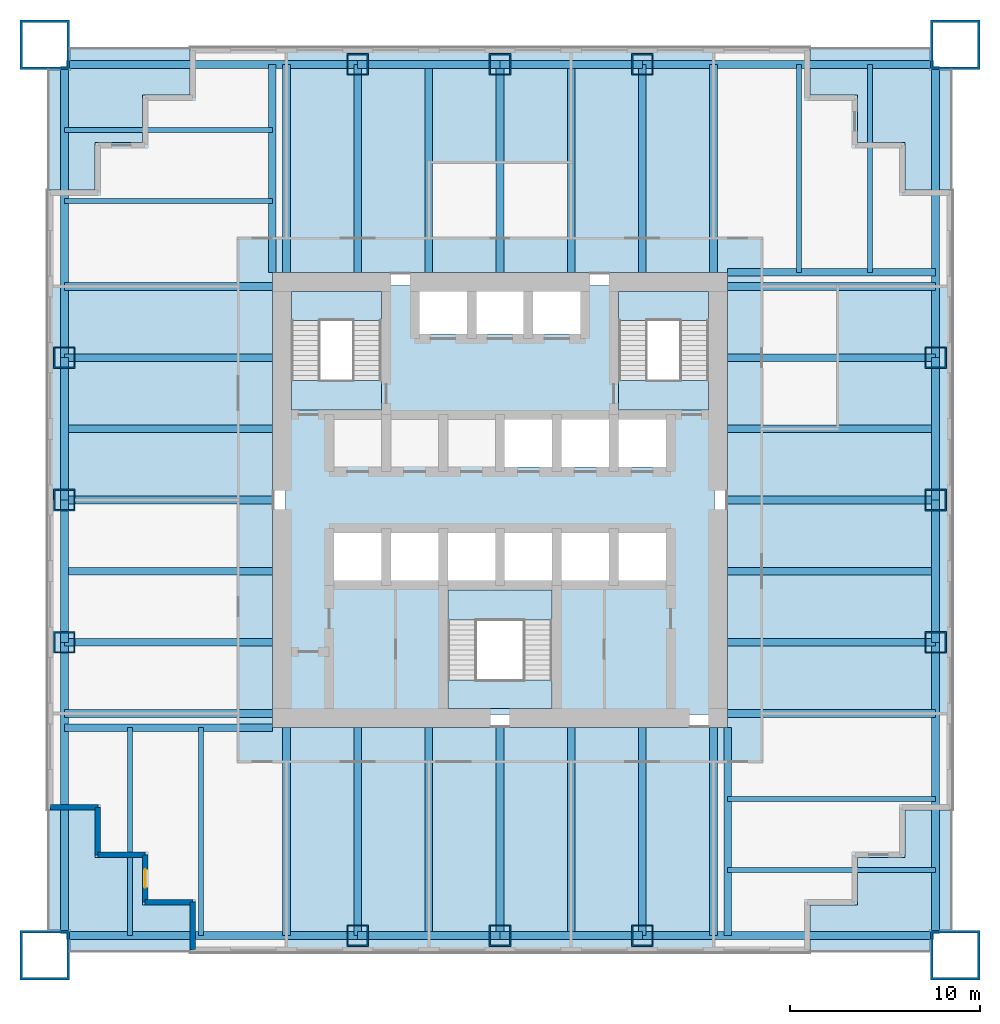
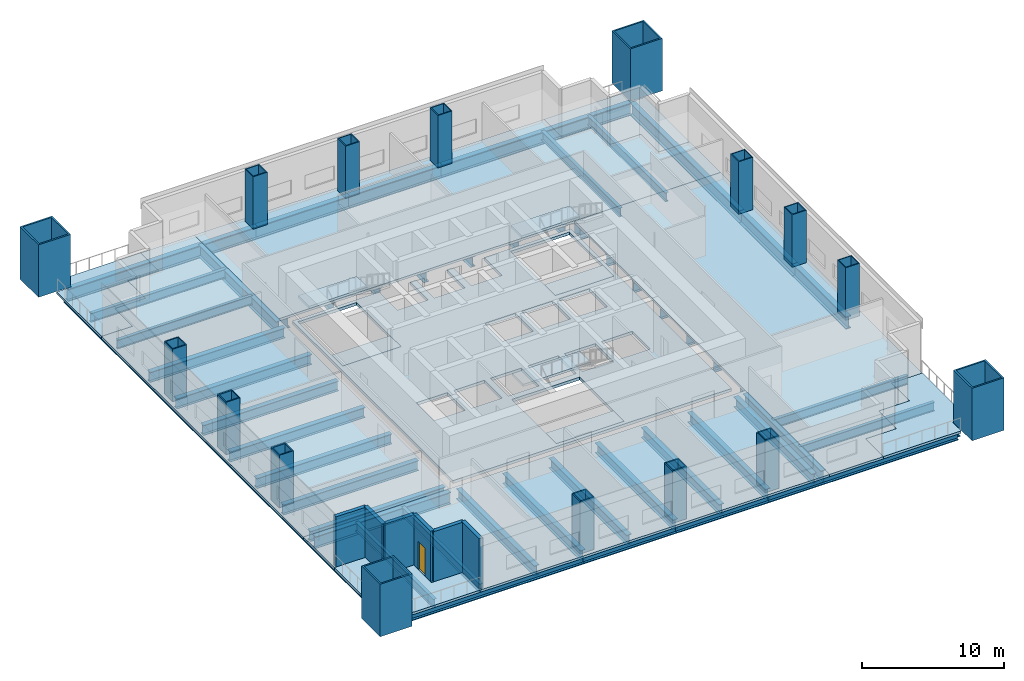
# One storey, part 1 of 7: 56 beams, 16 columns, 15 slabs, 6 walls, 1 door, 1 opening, 3 elements without a shape of their own.
"""IFC4 building model written with IfcOpenShell, lengths in metres."""

from ifc_helpers import new_model, si_unit, direction, frame, frame_2d, origin, origin_2d, place, context, subcontext, project, spatial, polyline, rectangle, hollow_rectangle, i_section, outline, extrude, material, layer, layer_set, material_profile, profile_set, type_object, element, fill, aggregate, save


model = new_model("IFC4")

# Units and contexts
model_context = context("Model", 3, precision=1e-05, world=origin(), true_north=direction((0.0, 1.0)))
body_context = subcontext(model_context, "Body", "Model", "MODEL_VIEW")
ifc_project = project(units=[si_unit("LENGTHUNIT", "METRE"), si_unit("AREAUNIT", "SQUARE_METRE"), si_unit("VOLUMEUNIT", "CUBIC_METRE"), si_unit("PLANEANGLEUNIT", "RADIAN"), si_unit("MASSUNIT", "GRAM", prefix="KILO")], contexts=[model_context])

# Site, building, storey
site_placement = place(None, origin())
site = spatial("IfcSite", under=ifc_project, at=site_placement, CompositionType="ELEMENT")
building_placement = place(site_placement, origin())
building = spatial("IfcBuilding", under=site, at=building_placement, Name="Tarangal Relay Tower", CompositionType="ELEMENT")
storey_placement = place(building_placement, frame((0.0, 0.0, 131.39990234375)))
storey = spatial("IfcBuildingStorey", under=building, at=storey_placement, Name="L26", CompositionType="ELEMENT", Elevation=131.39990234375)

# Columns
ifc_material_1 = material(Name="Steel ASTM A572 Grade 42", Category="steel")
ifc_material_profile_1 = material_profile(ifc_material_1, hollow_rectangle(XDim=2.60009765625, YDim=2.60009765625, WallThickness=0.1298828125, at=origin_2d()), Name="BOX2600X2600X130")
ifc_profile_set_1 = profile_set([ifc_material_profile_1], Name="Steel ASTM A572 Grade 42")
column_type_1 = type_object("IfcColumnType", Name="Mega column BOX2600X2600X130", PredefinedType="COLUMN", material=ifc_profile_set_1)
for number, where, z_axis, x_axis, name in (
    (1, (24.0, 24.0, 0.0), (0.0, 0.0, 1.0), (1.0, 0.0, 0.0), "Mega column MC2 NE L26"),
    (2, (24.0, -24.0, 0.0), (0.0, 0.0, 1.0), (1.0, 0.0, 0.0), "Mega column MC2 SE L26"),
    (3, (-24.0, -24.0, 0.0), (0.0, 0.0, 1.0), (1.0, 0.0, 0.0), "Mega column MC2 SW L26"),
    (4, (-24.0, 24.0, 0.0), (0.0, 0.0, 1.0), (1.0, 0.0, 0.0), "Mega column MC2 NW L26"),
):
    element("IfcColumn", number, at=place(storey_placement, frame(where, z_axis=z_axis, x_axis=x_axis)), inside=storey, type_object=column_type_1, Name=name, PredefinedType="COLUMN", context=body_context, shape_type="SweptSolid", body=[
        extrude(hollow_rectangle(XDim=2.60009765625, YDim=2.60009765625, WallThickness=0.1298828125, at=origin_2d()), origin(), (0.0, 0.0, 1.0), 4.5),
    ])
ifc_material_2 = material(Name="Steel ASTM A572 Grade 50", Category="steel")
ifc_material_profile_2 = material_profile(ifc_material_2, hollow_rectangle(XDim=1.14990234375, YDim=1.14990234375, WallThickness=0.074951171875, at=origin_2d()), Name="BOX1150X1150X75")
ifc_profile_set_2 = profile_set([ifc_material_profile_2], Name="Steel ASTM A572 Grade 50")
column_type_2 = type_object("IfcColumnType", Name="Perimeter column BOX1150X1150X75", PredefinedType="COLUMN", material=ifc_profile_set_2)
for number, where, z_axis, x_axis, name in (
    (5, (-7.5, 22.965087890625, 0.0), (0.0, 0.0, 1.0), (1.0, 0.0, 0.0), "Perimeter column PC3 N L26"),
    (6, (0.0, 22.965087890625, 0.0), (0.0, 0.0, 1.0), (1.0, 0.0, 0.0), "Perimeter column PC3 N L26"),
    (7, (7.5, 22.965087890625, 0.0), (0.0, 0.0, 1.0), (1.0, 0.0, 0.0), "Perimeter column PC3 N L26"),
    (8, (22.965087890625, 7.5, 0.0), (0.0, 0.0, 1.0), (1.0, 0.0, 0.0), "Perimeter column PC3 E L26"),
    (9, (22.965087890625, 0.0, 0.0), (0.0, 0.0, 1.0), (1.0, 0.0, 0.0), "Perimeter column PC3 E L26"),
    (10, (22.965087890625, -7.5, 0.0), (0.0, 0.0, 1.0), (1.0, 0.0, 0.0), "Perimeter column PC3 E L26"),
    (11, (7.5, -22.965087890625, 0.0), (0.0, 0.0, 1.0), (1.0, 0.0, 0.0), "Perimeter column PC3 S L26"),
    (12, (0.0, -22.965087890625, 0.0), (0.0, 0.0, 1.0), (1.0, 0.0, 0.0), "Perimeter column PC3 S L26"),
    (13, (-7.5, -22.965087890625, 0.0), (0.0, 0.0, 1.0), (1.0, 0.0, 0.0), "Perimeter column PC3 S L26"),
    (14, (-22.965087890625, -7.5, 0.0), (0.0, 0.0, 1.0), (1.0, 0.0, 0.0), "Perimeter column PC3 W L26"),
    (15, (-22.965087890625, 0.0, 0.0), (0.0, 0.0, 1.0), (1.0, 0.0, 0.0), "Perimeter column PC3 W L26"),
    (16, (-22.965087890625, 7.5, 0.0), (0.0, 0.0, 1.0), (1.0, 0.0, 0.0), "Perimeter column PC3 W L26"),
):
    element("IfcColumn", number, at=place(storey_placement, frame(where, z_axis=z_axis, x_axis=x_axis)), inside=storey, type_object=column_type_2, Name=name, PredefinedType="COLUMN", context=body_context, shape_type="SweptSolid", body=[
        extrude(hollow_rectangle(XDim=1.14990234375, YDim=1.14990234375, WallThickness=0.074951171875, at=origin_2d()), origin(), (0.0, 0.0, 1.0), 4.5),
    ])

# Beams
ifc_material_3 = material(Name="Steel ASTM A992", Category="steel")
ifc_material_profile_3 = material_profile(ifc_material_3, i_section(OverallWidth=0.2666015625, OverallDepth=0.76953125, WebThickness=0.015625, FlangeThickness=0.025390625, at=origin_2d()), Name="W30X132")
ifc_profile_set_3 = profile_set([ifc_material_profile_3], Name="Steel ASTM A992")
beam_type_1 = type_object("IfcBeamType", Name="Corner beam W30X132", PredefinedType="JOIST", material=ifc_profile_set_3)
for number, where, z_axis, x_axis, name in (
    (17, (15.75, 12.0, -0.584716796875), (0.0, 1.0, 0.0), (-1.0, 0.0, 0.0), "Corner beam CB13 N L26"),
    (18, (19.5, 12.0, -0.584716796875), (0.0, 1.0, 0.0), (-1.0, 0.0, 0.0), "Corner beam CB13 N L26"),
    (19, (12.0, -15.75, -0.584716796875), (1.0, 0.0, 0.0), (0.0, 1.0, 0.0), "Corner beam CB13 E L26"),
    (20, (12.0, -19.5, -0.584716796875), (1.0, 0.0, 0.0), (0.0, 1.0, 0.0), "Corner beam CB13 E L26"),
    (21, (-15.75, -12.0, -0.584716796875), (0.0, -1.0, 0.0), (1.0, 0.0, 0.0), "Corner beam CB13 S L26"),
    (22, (-19.5, -12.0, -0.584716796875), (0.0, -1.0, 0.0), (1.0, 0.0, 0.0), "Corner beam CB13 S L26"),
    (23, (-12.0, 15.75, -0.584716796875), (-1.0, 0.0, 0.0), (0.0, -1.0, 0.0), "Corner beam CB13 W L26"),
    (24, (-12.0, 19.5, -0.584716796875), (-1.0, 0.0, 0.0), (0.0, -1.0, 0.0), "Corner beam CB13 W L26"),
):
    element("IfcBeam", number, at=place(storey_placement, frame(where, z_axis=z_axis, x_axis=x_axis)), inside=storey, type_object=beam_type_1, Name=name, PredefinedType="JOIST", context=body_context, shape_type="SweptSolid", body=[
        extrude(i_section(OverallWidth=0.2666015625, OverallDepth=0.76953125, WebThickness=0.015625, FlangeThickness=0.025390625, at=origin_2d()), origin(), (0.0, 0.0, 1.0), 10.965087890625),
    ])
ifc_material_profile_4 = material_profile(ifc_material_3, i_section(OverallWidth=0.4013671875, OverallDepth=1.01611328125, WebThickness=0.02099609375, FlangeThickness=0.0400390625, at=origin_2d()), Name="W40X277")
ifc_profile_set_4 = profile_set([ifc_material_profile_4], Name="Steel ASTM A992")
beam_type_2 = type_object("IfcBeamType", Name="Corner girder W40X277", PredefinedType="BEAM", material=ifc_profile_set_4)
for number, where, z_axis, x_axis, name in (
    (25, (12.0, 12.0, -0.7080078125), (1.0, 0.0, 0.0), (0.0, 1.0, 0.0), "Corner girder CG3 N L26"),
    (26, (12.0, -12.0, -0.7080078125), (0.0, -1.0, 0.0), (1.0, 0.0, 0.0), "Corner girder CG3 E L26"),
    (27, (-12.0, -12.0, -0.7080078125), (-1.0, 0.0, 0.0), (0.0, -1.0, 0.0), "Corner girder CG3 S L26"),
    (28, (-12.0, 12.0, -0.7080078125), (0.0, 1.0, 0.0), (-1.0, 0.0, 0.0), "Corner girder CG3 W L26"),
):
    element("IfcBeam", number, at=place(storey_placement, frame(where, z_axis=z_axis, x_axis=x_axis)), inside=storey, type_object=beam_type_2, Name=name, PredefinedType="BEAM", context=body_context, shape_type="SweptSolid", body=[
        extrude(i_section(OverallWidth=0.4013671875, OverallDepth=1.01611328125, WebThickness=0.02099609375, FlangeThickness=0.0400390625, at=origin_2d()), origin(), (0.0, 0.0, 1.0), 10.965087890625),
    ])
ifc_material_profile_5 = material_profile(ifc_material_3, i_section(OverallWidth=0.41650390625, OverallDepth=1.0693359375, WebThickness=0.0390625, FlangeThickness=0.070068359375, at=origin_2d()), Name="W40X503")
ifc_profile_set_5 = profile_set([ifc_material_profile_5], Name="Steel ASTM A992")
beam_type_3 = type_object("IfcBeamType", Name="Edge girder W40X503", PredefinedType="SPANDREL", material=ifc_profile_set_5)
beam_1_placement = place(storey_placement, frame((-22.85009765625, 22.965087890625, -0.734619140625), z_axis=(1.0, 0.0, 0.0), x_axis=(0.0, 1.0, 0.0)))
element("IfcBeam", 29, at=beam_1_placement, inside=storey, type_object=beam_type_3, Name="Edge girder EG8 N L26", PredefinedType="SPANDREL", context=body_context, shape_type="SweptSolid", body=[
    extrude(i_section(OverallWidth=0.41650390625, OverallDepth=1.0693359375, WebThickness=0.0390625, FlangeThickness=0.070068359375, at=origin_2d()), origin(), (0.0, 0.0, 1.0), 15.35009765625),
])
for number, where, z_axis, x_axis, name in (
    (30, (-7.5, 22.965087890625, -0.734619140625), (1.0, 0.0, 0.0), (0.0, 1.0, 0.0), "Edge girder EG8 N L26"),
    (31, (0.0, 22.965087890625, -0.734619140625), (1.0, 0.0, 0.0), (0.0, 1.0, 0.0), "Edge girder EG8 N L26"),
):
    element("IfcBeam", number, at=place(storey_placement, frame(where, z_axis=z_axis, x_axis=x_axis)), inside=storey, type_object=beam_type_3, Name=name, PredefinedType="SPANDREL", context=body_context, shape_type="SweptSolid", body=[
        extrude(i_section(OverallWidth=0.41650390625, OverallDepth=1.0693359375, WebThickness=0.0390625, FlangeThickness=0.070068359375, at=origin_2d()), origin(), (0.0, 0.0, 1.0), 7.5),
    ])
for number, where, z_axis, x_axis, name in (
    (32, (7.5, 22.965087890625, -0.734619140625), (1.0, 0.0, 0.0), (0.0, 1.0, 0.0), "Edge girder EG8 N L26"),
    (33, (22.965087890625, 22.85009765625, -0.734619140625), (0.0, -1.0, 0.0), (1.0, 0.0, 0.0), "Edge girder EG8 E L26"),
):
    element("IfcBeam", number, at=place(storey_placement, frame(where, z_axis=z_axis, x_axis=x_axis)), inside=storey, type_object=beam_type_3, Name=name, PredefinedType="SPANDREL", context=body_context, shape_type="SweptSolid", body=[
        extrude(i_section(OverallWidth=0.41650390625, OverallDepth=1.0693359375, WebThickness=0.0390625, FlangeThickness=0.070068359375, at=origin_2d()), origin(), (0.0, 0.0, 1.0), 15.35009765625),
    ])
for number, where, z_axis, x_axis, name in (
    (34, (22.965087890625, 7.5, -0.734619140625), (0.0, -1.0, 0.0), (1.0, 0.0, 0.0), "Edge girder EG8 E L26"),
    (35, (22.965087890625, 0.0, -0.734619140625), (0.0, -1.0, 0.0), (1.0, 0.0, 0.0), "Edge girder EG8 E L26"),
):
    element("IfcBeam", number, at=place(storey_placement, frame(where, z_axis=z_axis, x_axis=x_axis)), inside=storey, type_object=beam_type_3, Name=name, PredefinedType="SPANDREL", context=body_context, shape_type="SweptSolid", body=[
        extrude(i_section(OverallWidth=0.41650390625, OverallDepth=1.0693359375, WebThickness=0.0390625, FlangeThickness=0.070068359375, at=origin_2d()), origin(), (0.0, 0.0, 1.0), 7.5),
    ])
for number, where, z_axis, x_axis, name in (
    (36, (22.965087890625, -7.5, -0.734619140625), (0.0, -1.0, 0.0), (1.0, 0.0, 0.0), "Edge girder EG8 E L26"),
    (37, (22.85009765625, -22.965087890625, -0.734619140625), (-1.0, 0.0, 0.0), (0.0, -1.0, 0.0), "Edge girder EG8 S L26"),
):
    element("IfcBeam", number, at=place(storey_placement, frame(where, z_axis=z_axis, x_axis=x_axis)), inside=storey, type_object=beam_type_3, Name=name, PredefinedType="SPANDREL", context=body_context, shape_type="SweptSolid", body=[
        extrude(i_section(OverallWidth=0.41650390625, OverallDepth=1.0693359375, WebThickness=0.0390625, FlangeThickness=0.070068359375, at=origin_2d()), origin(), (0.0, 0.0, 1.0), 15.35009765625),
    ])
for number, where, z_axis, x_axis, name in (
    (38, (7.5, -22.965087890625, -0.734619140625), (-1.0, 0.0, 0.0), (0.0, -1.0, 0.0), "Edge girder EG8 S L26"),
    (39, (0.0, -22.965087890625, -0.734619140625), (-1.0, 0.0, 0.0), (0.0, -1.0, 0.0), "Edge girder EG8 S L26"),
):
    element("IfcBeam", number, at=place(storey_placement, frame(where, z_axis=z_axis, x_axis=x_axis)), inside=storey, type_object=beam_type_3, Name=name, PredefinedType="SPANDREL", context=body_context, shape_type="SweptSolid", body=[
        extrude(i_section(OverallWidth=0.41650390625, OverallDepth=1.0693359375, WebThickness=0.0390625, FlangeThickness=0.070068359375, at=origin_2d()), origin(), (0.0, 0.0, 1.0), 7.5),
    ])
for number, where, z_axis, x_axis, name in (
    (40, (-7.5, -22.965087890625, -0.734619140625), (-1.0, 0.0, 0.0), (0.0, -1.0, 0.0), "Edge girder EG8 S L26"),
    (41, (-22.965087890625, -22.85009765625, -0.734619140625), (0.0, 1.0, 0.0), (-1.0, 0.0, 0.0), "Edge girder EG8 W L26"),
):
    element("IfcBeam", number, at=place(storey_placement, frame(where, z_axis=z_axis, x_axis=x_axis)), inside=storey, type_object=beam_type_3, Name=name, PredefinedType="SPANDREL", context=body_context, shape_type="SweptSolid", body=[
        extrude(i_section(OverallWidth=0.41650390625, OverallDepth=1.0693359375, WebThickness=0.0390625, FlangeThickness=0.070068359375, at=origin_2d()), origin(), (0.0, 0.0, 1.0), 15.35009765625),
    ])
for number, where, z_axis, x_axis, name in (
    (42, (-22.965087890625, -7.5, -0.734619140625), (0.0, 1.0, 0.0), (-1.0, 0.0, 0.0), "Edge girder EG8 W L26"),
    (43, (-22.965087890625, 0.0, -0.734619140625), (0.0, 1.0, 0.0), (-1.0, 0.0, 0.0), "Edge girder EG8 W L26"),
):
    element("IfcBeam", number, at=place(storey_placement, frame(where, z_axis=z_axis, x_axis=x_axis)), inside=storey, type_object=beam_type_3, Name=name, PredefinedType="SPANDREL", context=body_context, shape_type="SweptSolid", body=[
        extrude(i_section(OverallWidth=0.41650390625, OverallDepth=1.0693359375, WebThickness=0.0390625, FlangeThickness=0.070068359375, at=origin_2d()), origin(), (0.0, 0.0, 1.0), 7.5),
    ])
beam_2_placement = place(storey_placement, frame((-22.965087890625, 7.5, -0.734619140625), z_axis=(0.0, 1.0, 0.0), x_axis=(-1.0, 0.0, 0.0)))
element("IfcBeam", 44, at=beam_2_placement, inside=storey, type_object=beam_type_3, Name="Edge girder EG8 W L26", PredefinedType="SPANDREL", context=body_context, shape_type="SweptSolid", body=[
    extrude(i_section(OverallWidth=0.41650390625, OverallDepth=1.0693359375, WebThickness=0.0390625, FlangeThickness=0.070068359375, at=origin_2d()), origin(), (0.0, 0.0, 1.0), 15.35009765625),
])
ifc_material_profile_6 = material_profile(ifc_material_3, i_section(OverallWidth=0.40380859375, OverallDepth=0.86865234375, WebThickness=0.02099609375, FlangeThickness=0.03564453125, at=origin_2d()), Name="W33X241")
ifc_profile_set_6 = profile_set([ifc_material_profile_6], Name="Steel ASTM A992")
beam_type_4 = type_object("IfcBeamType", Name="Floor beam W33X241", PredefinedType="BEAM", material=ifc_profile_set_6)
for number, where, z_axis, x_axis, name in (
    (45, (-11.25, 12.0, -0.63427734375), (0.0, 1.0, 0.0), (-1.0, 0.0, 0.0), "Floor beam RB11 N L26"),
    (46, (-7.5, 12.0, -0.63427734375), (0.0, 1.0, 0.0), (-1.0, 0.0, 0.0), "Floor beam RB11 N L26"),
    (47, (-3.75, 12.0, -0.63427734375), (0.0, 1.0, 0.0), (-1.0, 0.0, 0.0), "Floor beam RB11 N L26"),
    (48, (0.0, 12.0, -0.63427734375), (0.0, 1.0, 0.0), (-1.0, 0.0, 0.0), "Floor beam RB11 N L26"),
    (49, (3.75, 12.0, -0.63427734375), (0.0, 1.0, 0.0), (-1.0, 0.0, 0.0), "Floor beam RB11 N L26"),
    (50, (7.5, 12.0, -0.63427734375), (0.0, 1.0, 0.0), (-1.0, 0.0, 0.0), "Floor beam RB11 N L26"),
    (51, (11.25, 12.0, -0.63427734375), (0.0, 1.0, 0.0), (-1.0, 0.0, 0.0), "Floor beam RB11 N L26"),
    (52, (12.0, 11.25, -0.63427734375), (1.0, 0.0, 0.0), (0.0, 1.0, 0.0), "Floor beam RB11 E L26"),
    (53, (12.0, 7.5, -0.63427734375), (1.0, 0.0, 0.0), (0.0, 1.0, 0.0), "Floor beam RB11 E L26"),
    (54, (12.0, 3.75, -0.63427734375), (1.0, 0.0, 0.0), (0.0, 1.0, 0.0), "Floor beam RB11 E L26"),
    (55, (12.0, 0.0, -0.63427734375), (1.0, 0.0, 0.0), (0.0, 1.0, 0.0), "Floor beam RB11 E L26"),
    (56, (12.0, -3.75, -0.63427734375), (1.0, 0.0, 0.0), (0.0, 1.0, 0.0), "Floor beam RB11 E L26"),
    (57, (12.0, -7.5, -0.63427734375), (1.0, 0.0, 0.0), (0.0, 1.0, 0.0), "Floor beam RB11 E L26"),
    (58, (12.0, -11.25, -0.63427734375), (1.0, 0.0, 0.0), (0.0, 1.0, 0.0), "Floor beam RB11 E L26"),
    (59, (11.25, -12.0, -0.63427734375), (0.0, -1.0, 0.0), (1.0, 0.0, 0.0), "Floor beam RB11 S L26"),
    (60, (7.5, -12.0, -0.63427734375), (0.0, -1.0, 0.0), (1.0, 0.0, 0.0), "Floor beam RB11 S L26"),
    (61, (3.75, -12.0, -0.63427734375), (0.0, -1.0, 0.0), (1.0, 0.0, 0.0), "Floor beam RB11 S L26"),
    (62, (0.0, -12.0, -0.63427734375), (0.0, -1.0, 0.0), (1.0, 0.0, 0.0), "Floor beam RB11 S L26"),
    (63, (-3.75, -12.0, -0.63427734375), (0.0, -1.0, 0.0), (1.0, 0.0, 0.0), "Floor beam RB11 S L26"),
    (64, (-7.5, -12.0, -0.63427734375), (0.0, -1.0, 0.0), (1.0, 0.0, 0.0), "Floor beam RB11 S L26"),
    (65, (-11.25, -12.0, -0.63427734375), (0.0, -1.0, 0.0), (1.0, 0.0, 0.0), "Floor beam RB11 S L26"),
    (66, (-12.0, -11.25, -0.63427734375), (-1.0, 0.0, 0.0), (0.0, -1.0, 0.0), "Floor beam RB11 W L26"),
    (67, (-12.0, -7.5, -0.63427734375), (-1.0, 0.0, 0.0), (0.0, -1.0, 0.0), "Floor beam RB11 W L26"),
    (68, (-12.0, -3.75, -0.63427734375), (-1.0, 0.0, 0.0), (0.0, -1.0, 0.0), "Floor beam RB11 W L26"),
    (69, (-12.0, 0.0, -0.63427734375), (-1.0, 0.0, 0.0), (0.0, -1.0, 0.0), "Floor beam RB11 W L26"),
    (70, (-12.0, 3.75, -0.63427734375), (-1.0, 0.0, 0.0), (0.0, -1.0, 0.0), "Floor beam RB11 W L26"),
    (71, (-12.0, 7.5, -0.63427734375), (-1.0, 0.0, 0.0), (0.0, -1.0, 0.0), "Floor beam RB11 W L26"),
    (72, (-12.0, 11.25, -0.63427734375), (-1.0, 0.0, 0.0), (0.0, -1.0, 0.0), "Floor beam RB11 W L26"),
):
    element("IfcBeam", number, at=place(storey_placement, frame(where, z_axis=z_axis, x_axis=x_axis)), inside=storey, type_object=beam_type_4, Name=name, PredefinedType="BEAM", context=body_context, shape_type="SweptSolid", body=[
        extrude(i_section(OverallWidth=0.40380859375, OverallDepth=0.86865234375, WebThickness=0.02099609375, FlangeThickness=0.03564453125, at=origin_2d()), origin(), (0.0, 0.0, 1.0), 10.965087890625),
    ])

# Slabs
ifc_material_4 = material(Name="Concrete fc' 35 MPa", Category="concrete")
ifc_layer_1 = layer(ifc_material_4, 0.25)
ifc_layer_set_1 = layer_set([ifc_layer_1], Name="Core floor slab 250")
slab_type_1 = type_object("IfcSlabType", Name="Core floor slab 250", PredefinedType="FLOOR", material=ifc_layer_set_1)
slab_1_placement = place(storey_placement, frame((0.0, 0.0, -0.25)))
element("IfcSlab", 73, at=slab_1_placement, inside=storey, type_object=slab_type_1, Name="Core floor slab L26", PredefinedType="FLOOR", context=body_context, shape_type="SweptSolid", body=[
    extrude(outline(polyline([(11.300048828125, 11.300048828125), (11.300048828125, -11.300048828125), (-11.300048828125, -11.300048828125), (-11.300048828125, 11.300048828125), (-4.25, 11.300048828125), (-4.25, 8.75), (-1.75, 8.75), (-1.75, 11.300048828125), (-1.25, 11.300048828125), (-1.25, 8.75), (1.25, 8.75), (1.25, 11.300048828125), (1.75, 11.300048828125), (1.75, 8.75), (4.25, 8.75), (4.25, 11.300048828125), (11.300048828125, 11.300048828125)]), holes=[polyline([(2.75, -4.75), (-2.75, -4.75), (-2.75, -11.0), (2.75, -11.0), (2.75, -4.75)]), polyline([(-6.25, -4.25), (-6.25, -1.75), (-8.75, -1.75), (-8.75, -4.25), (-6.25, -4.25)]), polyline([(-3.25, -4.25), (-3.25, -1.75), (-5.75, -1.75), (-5.75, -4.25), (-3.25, -4.25)]), polyline([(-0.25, -4.25), (-0.25, -1.75), (-2.75, -1.75), (-2.75, -4.25), (-0.25, -4.25)]), polyline([(2.75, 1.75), (2.75, 4.25), (0.25, 4.25), (0.25, 1.75), (2.75, 1.75)]), polyline([(-6.25, 4.75), (-6.25, 11.0), (-11.0, 11.0), (-11.0, 4.75), (-6.25, 4.75)]), polyline([(2.75, -4.25), (2.75, -1.75), (0.25, -1.75), (0.25, -4.25), (2.75, -4.25)]), polyline([(5.75, -4.25), (5.75, -1.75), (3.25, -1.75), (3.25, -4.25), (5.75, -4.25)]), polyline([(8.75, -4.25), (8.75, -1.75), (6.25, -1.75), (6.25, -4.25), (8.75, -4.25)]), polyline([(5.75, 1.75), (5.75, 4.25), (3.25, 4.25), (3.25, 1.75), (5.75, 1.75)]), polyline([(8.75, 1.75), (8.75, 4.25), (6.25, 4.25), (6.25, 1.75), (8.75, 1.75)]), polyline([(11.0, 4.75), (11.0, 11.0), (6.25, 11.0), (6.25, 4.75), (11.0, 4.75)])]), origin(), (0.0, 0.0, 1.0), 0.25),
])
ifc_layer_2 = layer(ifc_material_4, 0.199951171875)
ifc_layer_set_2 = layer_set([ifc_layer_2], Name="Floor slab 200")
slab_type_2 = type_object("IfcSlabType", Name="Floor slab 200", PredefinedType="FLOOR", material=ifc_layer_set_2)
slab_2_placement = place(storey_placement, frame((0.0, 0.0, -0.199951171875)))
element("IfcSlab", 74, at=slab_2_placement, inside=storey, type_object=slab_type_2, Name="Floor slab FS2 L26 north bay", PredefinedType="FLOOR", context=body_context, shape_type="SweptSolid", body=[
    extrude(outline(polyline([(16.35009765625, 23.85009765625), (16.35009765625, 21.35009765625), (18.85009765625, 21.35009765625), (18.85009765625, 18.85009765625), (21.35009765625, 18.85009765625), (21.35009765625, 16.35009765625), (23.85009765625, 16.35009765625), (23.85009765625, 12.0), (-12.0, 12.0), (-12.0, 23.85009765625), (16.35009765625, 23.85009765625)])), origin(), (0.0, 0.0, 1.0), 0.199951171875),
])
slab_3_placement = place(storey_placement, frame((0.0, 0.0, -0.199951171875)))
element("IfcSlab", 75, at=slab_3_placement, inside=storey, type_object=slab_type_2, Name="Floor slab FS2 L26 east bay", PredefinedType="FLOOR", context=body_context, shape_type="SweptSolid", body=[
    extrude(outline(polyline([(23.85009765625, -16.35009765625), (21.35009765625, -16.35009765625), (21.35009765625, -18.85009765625), (18.85009765625, -18.85009765625), (18.85009765625, -21.35009765625), (16.35009765625, -21.35009765625), (16.35009765625, -23.85009765625), (12.0, -23.85009765625), (12.0, 12.0), (23.85009765625, 12.0), (23.85009765625, -16.35009765625)])), origin(), (0.0, 0.0, 1.0), 0.199951171875),
])
slab_4_placement = place(storey_placement, frame((0.0, 0.0, -0.199951171875)))
element("IfcSlab", 76, at=slab_4_placement, inside=storey, type_object=slab_type_2, Name="Floor slab FS2 L26 south bay", PredefinedType="FLOOR", context=body_context, shape_type="SweptSolid", body=[
    extrude(outline(polyline([(-16.35009765625, -23.85009765625), (-16.35009765625, -21.35009765625), (-18.85009765625, -21.35009765625), (-18.85009765625, -18.85009765625), (-21.35009765625, -18.85009765625), (-21.35009765625, -16.35009765625), (-23.85009765625, -16.35009765625), (-23.85009765625, -12.0), (12.0, -12.0), (12.0, -23.85009765625), (-16.35009765625, -23.85009765625)])), origin(), (0.0, 0.0, 1.0), 0.199951171875),
])
slab_5_placement = place(storey_placement, frame((0.0, 0.0, -0.199951171875)))
element("IfcSlab", 77, at=slab_5_placement, inside=storey, type_object=slab_type_2, Name="Floor slab FS2 L26 west bay", PredefinedType="FLOOR", context=body_context, shape_type="SweptSolid", body=[
    extrude(outline(polyline([(-12.0, 23.85009765625), (-12.0, -12.0), (-23.85009765625, -12.0), (-23.85009765625, 16.35009765625), (-21.35009765625, 16.35009765625), (-21.35009765625, 18.85009765625), (-18.85009765625, 18.85009765625), (-18.85009765625, 21.35009765625), (-16.35009765625, 21.35009765625), (-16.35009765625, 23.85009765625), (-12.0, 23.85009765625)])), origin(), (0.0, 0.0, 1.0), 0.199951171875),
])

# Stair, slabs
ifc_material_5 = material(Name="Steel ASTM A992 stair flight", Category="steel")
stair_type = type_object("IfcStairType", Name="Core stair 1500", PredefinedType="HALF_TURN_STAIR", material=ifc_material_5)
stair_1_placement = place(storey_placement, origin())
stair_1 = element("IfcStair", 78, at=stair_1_placement, inside=storey, type_object=stair_type, Name="Stair ST-A L26", PredefinedType="HALF_TURN_STAIR")
ifc_layer_3 = layer(ifc_material_4, 0.199951171875)
ifc_layer_set_3 = layer_set([ifc_layer_3], Name="Stair landing 200")
slab_type_3 = type_object("IfcSlabType", Name="Stair landing 200", PredefinedType="LANDING", material=ifc_layer_set_3)
slab_6_placement = place(storey_placement, frame((0.0, 0.0, -0.199951171875)))
slab_6 = element("IfcSlab", 79, at=slab_6_placement, type_object=slab_type_3, Name="ST-A landing 1", PredefinedType="LANDING", context=body_context, shape_type="SweptSolid", body=[
    extrude(outline(polyline([(-11.0, 4.75), (-6.25, 4.75), (-6.25, 6.300048828125), (-11.0, 6.300048828125), (-11.0, 4.75)])), origin(), (0.0, 0.0, 1.0), 0.199951171875),
])
slab_7_placement = place(storey_placement, frame((0.0, 0.0, 2.050048828125)))
slab_7 = element("IfcSlab", 80, at=slab_7_placement, type_object=slab_type_3, Name="ST-A landing 2", PredefinedType="LANDING", context=body_context, shape_type="SweptSolid", body=[
    extrude(outline(polyline([(-11.0, 9.468017578125), (-6.25, 9.468017578125), (-6.25, 11.0), (-11.0, 11.0), (-11.0, 9.468017578125)])), origin(), (0.0, 0.0, 1.0), 0.199951171875),
])
aggregate(stair_1, [slab_6, slab_7])

stair_2_placement = place(storey_placement, origin())
stair_2 = element("IfcStair", 81, at=stair_2_placement, inside=storey, type_object=stair_type, Name="Stair ST-B L26", PredefinedType="HALF_TURN_STAIR")
slab_8_placement = place(storey_placement, frame((0.0, 0.0, -0.199951171875)))
slab_8 = element("IfcSlab", 82, at=slab_8_placement, type_object=slab_type_3, Name="ST-B landing 1", PredefinedType="LANDING", context=body_context, shape_type="SweptSolid", body=[
    extrude(outline(polyline([(6.25, 4.75), (11.0, 4.75), (11.0, 6.300048828125), (6.25, 6.300048828125), (6.25, 4.75)])), origin(), (0.0, 0.0, 1.0), 0.199951171875),
])
slab_9_placement = place(storey_placement, frame((0.0, 0.0, 2.050048828125)))
slab_9 = element("IfcSlab", 83, at=slab_9_placement, type_object=slab_type_3, Name="ST-B landing 2", PredefinedType="LANDING", context=body_context, shape_type="SweptSolid", body=[
    extrude(outline(polyline([(6.25, 9.468017578125), (11.0, 9.468017578125), (11.0, 11.0), (6.25, 11.0), (6.25, 9.468017578125)])), origin(), (0.0, 0.0, 1.0), 0.199951171875),
])
aggregate(stair_2, [slab_8, slab_9])

stair_3_placement = place(storey_placement, origin())
stair_3 = element("IfcStair", 84, at=stair_3_placement, inside=storey, type_object=stair_type, Name="Stair ST-C L26", PredefinedType="HALF_TURN_STAIR")
slab_10_placement = place(storey_placement, frame((0.0, 0.0, -0.199951171875)))
slab_10 = element("IfcSlab", 85, at=slab_10_placement, type_object=slab_type_3, Name="ST-C landing 1", PredefinedType="LANDING", context=body_context, shape_type="SweptSolid", body=[
    extrude(outline(polyline([(-2.75, -11.0), (2.75, -11.0), (2.75, -9.5), (-2.75, -9.5), (-2.75, -11.0)])), origin(), (0.0, 0.0, 1.0), 0.199951171875),
])
slab_11_placement = place(storey_placement, frame((0.0, 0.0, 2.050048828125)))
slab_11 = element("IfcSlab", 86, at=slab_11_placement, type_object=slab_type_3, Name="ST-C landing 2", PredefinedType="LANDING", context=body_context, shape_type="SweptSolid", body=[
    extrude(outline(polyline([(-2.75, -6.33203125), (2.75, -6.33203125), (2.75, -4.75), (-2.75, -4.75), (-2.75, -6.33203125)])), origin(), (0.0, 0.0, 1.0), 0.199951171875),
])
aggregate(stair_3, [slab_10, slab_11])

# Slabs
ifc_layer_4 = layer(ifc_material_4, 0.199951171875)
ifc_layer_set_4 = layer_set([ifc_layer_4], Name="Terrace slab 200")
slab_type_4 = type_object("IfcSlabType", Name="Terrace slab 200", PredefinedType="FLOOR", material=ifc_layer_set_4)
slab_12_placement = place(storey_placement, frame((0.0, 0.0, -0.199951171875)))
element("IfcSlab", 87, at=slab_12_placement, inside=storey, type_object=slab_type_4, Name="Corner terrace NE L26", PredefinedType="FLOOR", context=body_context, shape_type="SweptSolid", body=[
    extrude(outline(polyline([(16.35009765625, 23.85009765625), (16.35009765625, 21.35009765625), (18.85009765625, 21.35009765625), (18.85009765625, 18.85009765625), (21.35009765625, 18.85009765625), (21.35009765625, 16.35009765625), (23.85009765625, 16.35009765625), (23.85009765625, 22.64990234375), (22.64990234375, 22.64990234375), (22.64990234375, 23.85009765625), (16.35009765625, 23.85009765625)])), origin(), (0.0, 0.0, 1.0), 0.199951171875),
])
slab_13_placement = place(storey_placement, frame((0.0, 0.0, -0.199951171875)))
element("IfcSlab", 88, at=slab_13_placement, inside=storey, type_object=slab_type_4, Name="Corner terrace SE L26", PredefinedType="FLOOR", context=body_context, shape_type="SweptSolid", body=[
    extrude(outline(polyline([(23.85009765625, -16.35009765625), (21.35009765625, -16.35009765625), (21.35009765625, -18.85009765625), (18.85009765625, -18.85009765625), (18.85009765625, -21.35009765625), (16.35009765625, -21.35009765625), (16.35009765625, -23.85009765625), (22.64990234375, -23.85009765625), (22.64990234375, -22.64990234375), (23.85009765625, -22.64990234375), (23.85009765625, -16.35009765625)])), origin(), (0.0, 0.0, 1.0), 0.199951171875),
])
slab_14_placement = place(storey_placement, frame((0.0, 0.0, -0.199951171875)))
element("IfcSlab", 89, at=slab_14_placement, inside=storey, type_object=slab_type_4, Name="Corner terrace SW L26", PredefinedType="FLOOR", context=body_context, shape_type="SweptSolid", body=[
    extrude(outline(polyline([(-16.35009765625, -23.85009765625), (-16.35009765625, -21.35009765625), (-18.85009765625, -21.35009765625), (-18.85009765625, -18.85009765625), (-21.35009765625, -18.85009765625), (-21.35009765625, -16.35009765625), (-23.85009765625, -16.35009765625), (-23.85009765625, -22.64990234375), (-22.64990234375, -22.64990234375), (-22.64990234375, -23.85009765625), (-16.35009765625, -23.85009765625)])), origin(), (0.0, 0.0, 1.0), 0.199951171875),
])
slab_15_placement = place(storey_placement, frame((0.0, 0.0, -0.199951171875)))
element("IfcSlab", 90, at=slab_15_placement, inside=storey, type_object=slab_type_4, Name="Corner terrace NW L26", PredefinedType="FLOOR", context=body_context, shape_type="SweptSolid", body=[
    extrude(outline(polyline([(-23.85009765625, 16.35009765625), (-21.35009765625, 16.35009765625), (-21.35009765625, 18.85009765625), (-18.85009765625, 18.85009765625), (-18.85009765625, 21.35009765625), (-16.35009765625, 21.35009765625), (-16.35009765625, 23.85009765625), (-22.64990234375, 23.85009765625), (-22.64990234375, 22.64990234375), (-23.85009765625, 22.64990234375), (-23.85009765625, 16.35009765625)])), origin(), (0.0, 0.0, 1.0), 0.199951171875),
])

# Walls
ifc_material_6 = material(Name="Insulated precast concrete fc' 40 MPa", Category="concrete")
ifc_layer_5 = layer(ifc_material_6, 0.300048828125)
ifc_layer_set_5 = layer_set([ifc_layer_5], Name="Insulated precast concrete fc' 40 MPa")
wall_type = type_object("IfcWallType", Name="Facade wall precast 300", PredefinedType="SOLIDWALL", material=ifc_layer_set_5)
for number, where, z_axis, x_axis, name in (
    (91, (-16.199951171875, -23.699951171875, 0.0), (0.0, 0.0, 1.0), (0.0, 1.0, 0.0), "Facade wall S facade L26"),
    (92, (-16.199951171875, -21.199951171875, 0.0), (0.0, 0.0, 1.0), (-1.0, 0.0, 0.0), "Facade wall S facade L26"),
):
    element("IfcWall", number, at=place(storey_placement, frame(where, z_axis=z_axis, x_axis=x_axis)), inside=storey, type_object=wall_type, Name=name, PredefinedType="SOLIDWALL", context=body_context, shape_type="SweptSolid", body=[
        extrude(rectangle(XDim=2.5, YDim=0.300048828125, at=frame_2d((1.25, 0.0))), origin(), (0.0, 0.0, 1.0), 4.300048828125),
    ])

# Wall, opening, door
wall_placement = place(storey_placement, frame((-18.699951171875, -21.199951171875, 0.0), z_axis=(0.0, 0.0, 1.0), x_axis=(0.0, 1.0, 0.0)))
wall = element("IfcWall", 93, at=wall_placement, inside=storey, type_object=wall_type, Name="Facade wall S facade L26", PredefinedType="SOLIDWALL", context=body_context, shape_type="SweptSolid", body=[
    extrude(rectangle(XDim=2.5, YDim=0.300048828125, at=frame_2d((1.25, 0.0))), origin(), (0.0, 0.0, 1.0), 4.300048828125),
])
opening_placement = place(wall_placement, frame((0.75, 0.0, 0.0)))
opening = element("IfcOpeningElement", 94, at=opening_placement, cuts=wall, Name="Opening TD1", PredefinedType="OPENING", context=body_context, shape_type="SweptSolid", body=[
    extrude(rectangle(XDim=1.0, YDim=2.39990234375, at=frame_2d((0.5, 1.199951171875))), frame((0.0, 0.159912109375, 0.0), z_axis=(0.0, -1.0, 0.0), x_axis=(1.0, 0.0, 0.0)), (0.0, 0.0, 1.0), 0.320068359375),
])
ifc_material_7 = material(Name="Aluminium glazed door", Category="aluminium")
door_type = type_object("IfcDoorType", Name="Terrace door 1000 x 2400", OperationType="SINGLE_SWING_RIGHT", PredefinedType="DOOR", material=ifc_material_7)
door_placement = place(opening_placement, origin())
door = element("IfcDoor", 95, at=door_placement, inside=storey, type_object=door_type, Name="Terrace door TD1 SW L26", OperationType="SINGLE_SWING_RIGHT", OverallHeight=2.39990234375, OverallWidth=1.0, PredefinedType="DOOR", context=body_context, shape_type="SweptSolid", body=[
    extrude(rectangle(XDim=1.0, YDim=2.39990234375, at=frame_2d((0.5, 1.199951171875))), frame((0.0, 0.02490234375, 0.0), z_axis=(0.0, -1.0, 0.0), x_axis=(1.0, 0.0, 0.0)), (0.0, 0.0, 1.0), 0.050048828125),
])
fill(opening, door)

# Walls
for number, where, z_axis, x_axis, name in (
    (96, (-18.699951171875, -18.699951171875, 0.0), (0.0, 0.0, 1.0), (-1.0, 0.0, 0.0), "Facade wall S facade L26"),
    (97, (-21.199951171875, -18.699951171875, 0.0), (0.0, 0.0, 1.0), (0.0, 1.0, 0.0), "Facade wall S facade L26"),
    (98, (-21.199951171875, -16.199951171875, 0.0), (0.0, 0.0, 1.0), (-1.0, 0.0, 0.0), "Facade wall S facade L26"),
):
    element("IfcWall", number, at=place(storey_placement, frame(where, z_axis=z_axis, x_axis=x_axis)), inside=storey, type_object=wall_type, Name=name, PredefinedType="SOLIDWALL", context=body_context, shape_type="SweptSolid", body=[
        extrude(rectangle(XDim=2.5, YDim=0.300048828125, at=frame_2d((1.25, 0.0))), origin(), (0.0, 0.0, 1.0), 4.300048828125),
    ])

save(model, "model.ifc")
